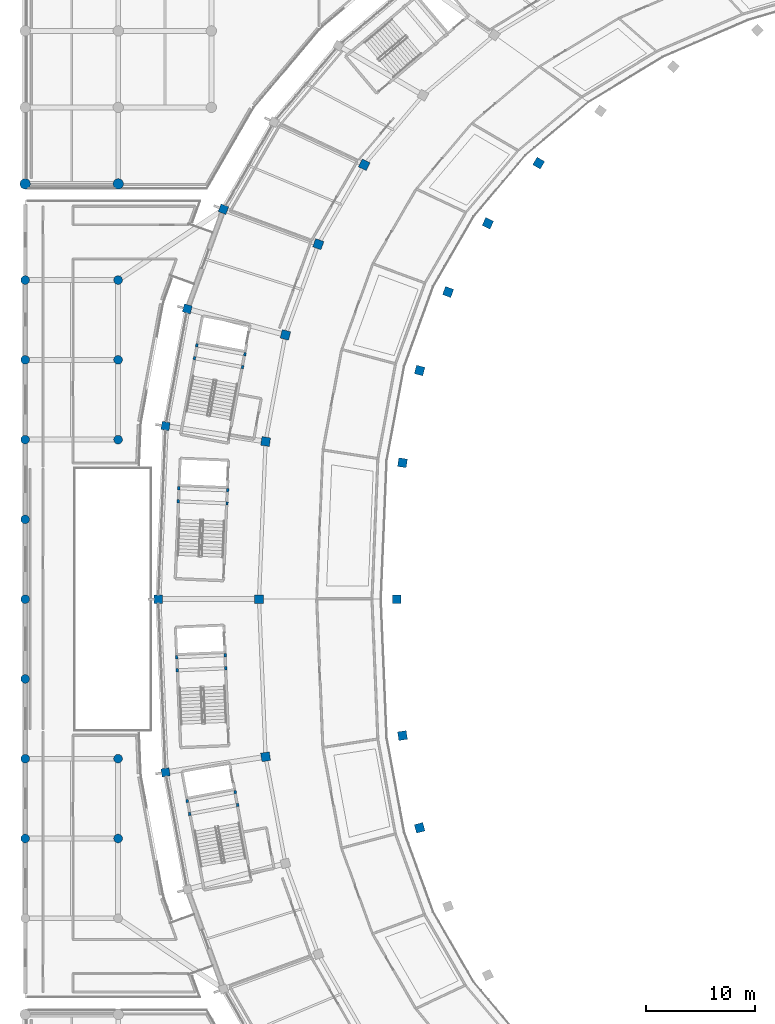
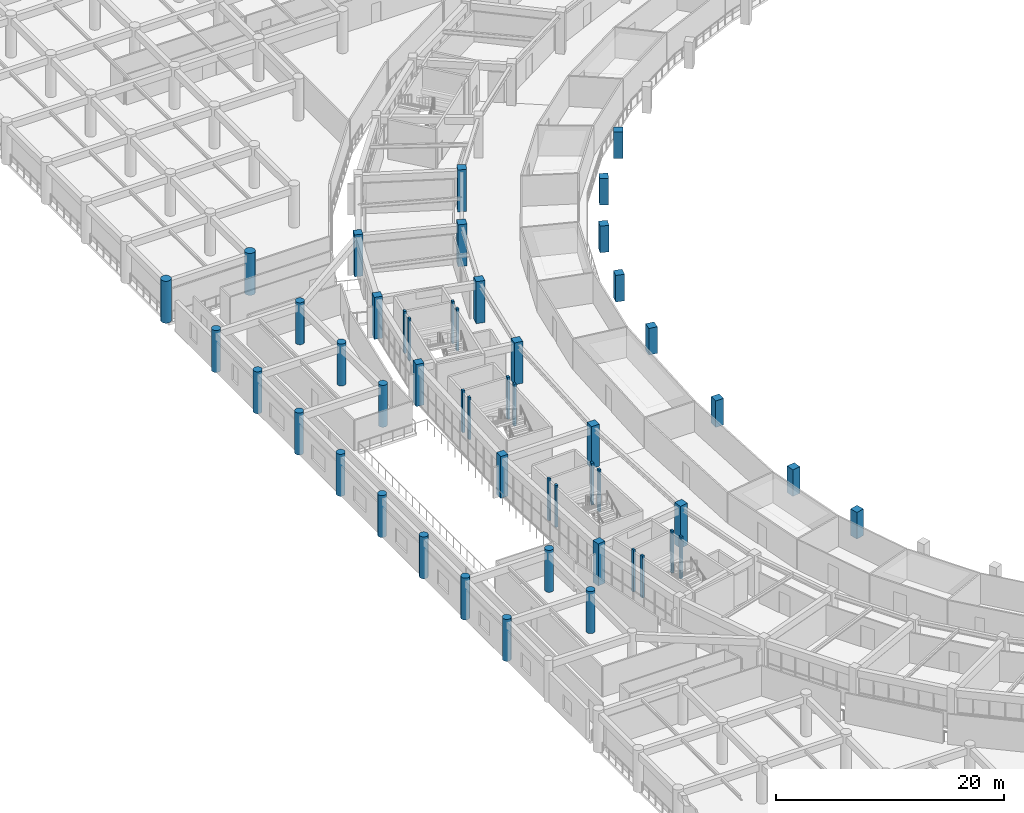
# One storey, part 3 of 141: 50 columns.
"""IFC4 building model written with IfcOpenShell, lengths in metres."""

from ifc_helpers import new_model, si_unit, direction, frame, origin, origin_2d, place, context, subcontext, project, spatial, rectangle, circle, extrude, material, material_profile, profile_set, type_object, element, save


model = new_model("IFC4")

# Units and contexts
model_context = context("Model", 3, precision=1e-05, world=origin(), true_north=direction((0.0, 1.0)))
body_context = subcontext(model_context, "Body", "Model", "MODEL_VIEW")
ifc_project = project(units=[si_unit("LENGTHUNIT", "METRE"), si_unit("AREAUNIT", "SQUARE_METRE"), si_unit("VOLUMEUNIT", "CUBIC_METRE"), si_unit("PLANEANGLEUNIT", "RADIAN"), si_unit("MASSUNIT", "GRAM", prefix="KILO")], contexts=[model_context])

# Site, building, storey
site_placement = place(None, origin())
site = spatial("IfcSite", under=ifc_project, at=site_placement, CompositionType="ELEMENT")
building_placement = place(site_placement, origin())
building = spatial("IfcBuilding", under=site, at=building_placement, Name="Mphavela Belvedere Stadium", CompositionType="ELEMENT")
storey_placement = place(building_placement, frame((0.0, 0.0, 14.699951171875)))
storey = spatial("IfcBuildingStorey", under=building, at=storey_placement, Name="L03", CompositionType="ELEMENT", Elevation=14.699951171875)

# Columns
ifc_material_1 = material(Name="Concrete C40/50", Category="concrete")
ifc_material_profile_1 = material_profile(ifc_material_1, rectangle(XDim=0.300048828125, YDim=0.219970703125, at=origin_2d()), Name="RC 300x220")
ifc_profile_set_1 = profile_set([ifc_material_profile_1], Name="Concrete C40/50")
column_type_1 = type_object("IfcColumnType", Name="COL-CORE-POST-300", PredefinedType="COLUMN", material=ifc_profile_set_1)
for number, where, z_axis, x_axis, name in (
    (1, (19.88623046875, 108.2353515625, 0.0), (0.0, 0.0, 1.0), (0.182578735093, 0.983191235463, 0.0), "Core C06 stair frame column L03-1"),
    (2, (20.105224609375, 109.415283203125, 0.0), (0.0, 0.0, 1.0), (0.182578735093, 0.983191235463, 0.0), "Core C06 stair frame column L03-2"),
    (3, (15.71044921875, 110.231201171875, 0.0), (0.0, 0.0, 1.0), (0.182578735093, 0.983191235463, 0.0), "Core C06 stair frame column L03-3"),
    (4, (15.491455078125, 109.051513671875, 0.0), (0.0, 0.0, 1.0), (0.182578735093, 0.983191235463, 0.0), "Core C06 stair frame column L03-4"),
    (5, (18.47021484375, 95.76318359375, 0.0), (0.0, 0.0, 1.0), (0.041875653729, 0.999122830099, 0.0), "Core C07 stair frame column L03-1"),
    (6, (18.5205078125, 96.96240234375, 0.0), (0.0, 0.0, 1.0), (0.041875653729, 0.999122830099, 0.0), "Core C07 stair frame column L03-2"),
    (7, (14.05419921875, 97.1494140625, 0.0), (0.0, 0.0, 1.0), (0.041875653729, 0.999122830099, 0.0), "Core C07 stair frame column L03-3"),
    (8, (14.004150390625, 95.950439453125, 0.0), (0.0, 0.0, 1.0), (0.041875653729, 0.999122830099, 0.0), "Core C07 stair frame column L03-4"),
    (9, (18.367919921875, 80.674560546875, 0.0), (0.0, 0.0, 1.0), (-0.041875653729, 0.999122830099, 0.0), "Core C08 stair frame column L03-1"),
    (10, (18.317626953125, 81.87353515625, 0.0), (0.0, 0.0, 1.0), (-0.041875653729, 0.999122830099, 0.0), "Core C08 stair frame column L03-2"),
    (11, (13.8515625, 81.686279296875, 0.0), (0.0, 0.0, 1.0), (-0.041875653729, 0.999122830099, 0.0), "Core C08 stair frame column L03-3"),
    (12, (13.90185546875, 80.4873046875, 0.0), (0.0, 0.0, 1.0), (-0.041875653729, 0.999122830099, 0.0), "Core C08 stair frame column L03-4"),
    (13, (19.440673828125, 68.16357421875, 0.0), (0.0, 0.0, 1.0), (-0.182578735093, 0.983191235463, 0.0), "Core C09 stair frame column L03-1"),
    (14, (19.2216796875, 69.343505859375, 0.0), (0.0, 0.0, 1.0), (-0.182578735093, 0.983191235463, 0.0), "Core C09 stair frame column L03-2"),
    (15, (14.82666015625, 68.52734375, 0.0), (0.0, 0.0, 1.0), (-0.182578735093, 0.983191235463, 0.0), "Core C09 stair frame column L03-3"),
    (16, (15.0458984375, 67.347412109375, 0.0), (0.0, 0.0, 1.0), (-0.182578735093, 0.983191235463, 0.0), "Core C09 stair frame column L03-4"),
):
    element("IfcColumn", number, at=place(storey_placement, frame(where, z_axis=z_axis, x_axis=x_axis)), inside=storey, type_object=column_type_1, Name=name, PredefinedType="COLUMN", context=body_context, shape_type="SweptSolid", body=[
        extrude(rectangle(XDim=0.300048828125, YDim=0.219970703125, at=origin_2d()), origin(), (0.0, 0.0, 1.0), 4.5),
    ])
ifc_material_2 = material(Name="Concrete C40/50", Category="concrete")
ifc_material_profile_2 = material_profile(ifc_material_2, circle(Radius=0.47509765625, at=origin_2d()), Name="COL D950")
ifc_profile_set_2 = profile_set([ifc_material_profile_2], Name="Concrete C40/50")
column_type_2 = type_object("IfcColumnType", Name="COL-DORIC-950", PredefinedType="COLUMN", material=ifc_profile_set_2)
for number, where, z_axis, x_axis, name in (
    (17, (0.0, 125.0, 0.0), (0.0, 0.0, 1.0), (1.0, 0.0, 0.0), "North Mast and Ceremonial End Forecourt classical column L03 1-1"),
    (18, (8.51904296875, 125.0, 0.0), (0.0, 0.0, 1.0), (1.0, 0.0, 0.0), "North Mast and Ceremonial End Forecourt classical column L03 2-1"),
):
    element("IfcColumn", number, at=place(storey_placement, frame(where, z_axis=z_axis, x_axis=x_axis)), inside=storey, type_object=column_type_2, Name=name, PredefinedType="COLUMN", context=body_context, shape_type="SweptSolid", body=[
        extrude(circle(Radius=0.47509765625, at=origin_2d()), origin(), (0.0, 0.0, 1.0), 4.5),
    ])
ifc_material_3 = material(Name="Concrete C40/50", Category="concrete")
ifc_material_profile_3 = material_profile(ifc_material_3, circle(Radius=0.39990234375, at=origin_2d()), Name="COL D800")
ifc_profile_set_3 = profile_set([ifc_material_profile_3], Name="Concrete C40/50")
column_type_3 = type_object("IfcColumnType", Name="COL-PERISTYLE-800", PredefinedType="COLUMN", material=ifc_profile_set_3)
for number, where, z_axis, x_axis, name in (
    (19, (0.0, 65.10009765625, 0.0), (0.0, 0.0, 1.0), (1.0, 0.0, 0.0), "West Planted Eaves Peristyle Colonnade classical column L03 1-3"),
    (20, (0.0, 72.39990234375, 0.0), (0.0, 0.0, 1.0), (1.0, 0.0, 0.0), "West Planted Eaves Peristyle Colonnade classical column L03 1-4"),
    (21, (0.0, 79.699951171875, 0.0), (0.0, 0.0, 1.0), (1.0, 0.0, 0.0), "West Planted Eaves Peristyle Colonnade classical column L03 1-5"),
    (22, (0.0, 87.0, 0.0), (0.0, 0.0, 1.0), (1.0, 0.0, 0.0), "West Planted Eaves Peristyle Colonnade classical column L03 1-6"),
    (23, (0.0, 94.300048828125, 0.0), (0.0, 0.0, 1.0), (1.0, 0.0, 0.0), "West Planted Eaves Peristyle Colonnade classical column L03 1-7"),
    (24, (0.0, 101.60009765625, 0.0), (0.0, 0.0, 1.0), (1.0, 0.0, 0.0), "West Planted Eaves Peristyle Colonnade classical column L03 1-8"),
    (25, (0.0, 108.89990234375, 0.0), (0.0, 0.0, 1.0), (1.0, 0.0, 0.0), "West Planted Eaves Peristyle Colonnade classical column L03 1-9"),
    (26, (0.0, 116.199951171875, 0.0), (0.0, 0.0, 1.0), (1.0, 0.0, 0.0), "West Planted Eaves Peristyle Colonnade classical column L03 1-10"),
    (27, (8.5, 65.10009765625, 0.0), (0.0, 0.0, 1.0), (1.0, 0.0, 0.0), "West Planted Eaves Peristyle Colonnade classical column L03 2-3"),
    (28, (8.5, 72.39990234375, 0.0), (0.0, 0.0, 1.0), (1.0, 0.0, 0.0), "West Planted Eaves Peristyle Colonnade classical column L03 2-4"),
    (29, (8.5, 101.60009765625, 0.0), (0.0, 0.0, 1.0), (1.0, 0.0, 0.0), "West Planted Eaves Peristyle Colonnade classical column L03 2-8"),
    (30, (8.5, 108.89990234375, 0.0), (0.0, 0.0, 1.0), (1.0, 0.0, 0.0), "West Planted Eaves Peristyle Colonnade classical column L03 2-9"),
    (31, (8.5, 116.199951171875, 0.0), (0.0, 0.0, 1.0), (1.0, 0.0, 0.0), "West Planted Eaves Peristyle Colonnade classical column L03 2-10"),
):
    element("IfcColumn", number, at=place(storey_placement, frame(where, z_axis=z_axis, x_axis=x_axis)), inside=storey, type_object=column_type_3, Name=name, PredefinedType="COLUMN", context=body_context, shape_type="SweptSolid", body=[
        extrude(circle(Radius=0.39990234375, at=origin_2d()), origin(), (0.0, 0.0, 1.0), 4.5),
    ])
ifc_material_4 = material(Name="Concrete C40/50", Category="concrete")
ifc_material_profile_4 = material_profile(ifc_material_4, rectangle(XDim=0.75, YDim=0.75, at=origin_2d()), Name="RC 750x750")
ifc_profile_set_4 = profile_set([ifc_material_profile_4], Name="Concrete C40/50")
column_type_4 = type_object("IfcColumnType", Name="COL-RC750", PredefinedType="COLUMN", material=ifc_profile_set_4)
for number, where, z_axis, x_axis, name in (
    (32, (18.143798828125, 122.682373046875, 0.0), (0.0, 0.0, 1.0), (-0.938372433776, 0.34562577382, 0.0), "Outer colonnade column L03 R4-22"),
    (33, (14.83544921875, 113.5625, 0.0), (0.0, 0.0, 1.0), (-0.966600102017, 0.256289373133, 0.0), "Outer colonnade column L03 R4-23"),
    (34, (12.844482421875, 102.844970703125, 0.0), (0.0, 0.0, 1.0), (-0.98817491911, 0.153330783737, 0.0), "Outer colonnade column L03 R4-24"),
    (35, (12.179931640625, 87.0, 0.0), (0.0, 0.0, 1.0), (-1.0, 0.0, 0.0), "Outer colonnade column L03 R4-25"),
    (36, (12.844482421875, 71.155029296875, 0.0), (0.0, 0.0, 1.0), (-0.98817491911, -0.153330783737, 0.0), "Outer colonnade column L03 R4-26"),
):
    element("IfcColumn", number, at=place(storey_placement, frame(where, z_axis=z_axis, x_axis=x_axis)), inside=storey, type_object=column_type_4, Name=name, PredefinedType="COLUMN", context=body_context, shape_type="SweptSolid", body=[
        extrude(rectangle(XDim=0.75, YDim=0.75, at=origin_2d()), origin(), (0.0, 0.0, 1.0), 4.5),
    ])
ifc_material_5 = material(Name="Concrete C40/50", Category="concrete")
ifc_material_profile_5 = material_profile(ifc_material_5, rectangle(XDim=0.800048828125, YDim=0.800048828125, at=origin_2d()), Name="RC 800x800")
ifc_profile_set_5 = profile_set([ifc_material_profile_5], Name="Concrete C40/50")
column_type_5 = type_object("IfcColumnType", Name="COL-RC800", PredefinedType="COLUMN", material=ifc_profile_set_5)
for number, where, z_axis, x_axis, name in (
    (37, (46.98828125, 126.901611328125, 0.0), (0.0, 0.0, 1.0), (-0.862513669207, 0.506033764121, 0.0), "Upper raker support column L03 R2-20"),
    (38, (42.33740234375, 121.393798828125, 0.0), (0.0, 0.0, 1.0), (-0.903858661687, 0.4278311813, 0.0), "Upper raker support column L03 R2-21"),
):
    element("IfcColumn", number, at=place(storey_placement, frame(where, z_axis=z_axis, x_axis=x_axis)), inside=storey, type_object=column_type_5, Name=name, PredefinedType="COLUMN", context=body_context, shape_type="SweptSolid", body=[
        extrude(rectangle(XDim=0.800048828125, YDim=0.800048828125, at=origin_2d()), origin(), (0.0, 0.0, 1.0), 2.85009765625),
    ])
column_1_placement = place(storey_placement, frame((31.0244140625, 126.748291015625, 0.0), z_axis=(0.0, 0.0, 1.0), x_axis=(-0.903858661687, 0.4278311813, 0.0)))
element("IfcColumn", 39, at=column_1_placement, inside=storey, type_object=column_type_5, Name="Main bowl column L03 R3-21", PredefinedType="COLUMN", context=body_context, shape_type="SweptSolid", body=[
    extrude(rectangle(XDim=0.800048828125, YDim=0.800048828125, at=origin_2d()), origin(), (0.0, 0.0, 1.0), 4.5),
])
column_2_placement = place(storey_placement, frame((38.702880859375, 115.108154296875, 0.0), z_axis=(0.0, 0.0, 1.0), x_axis=(-0.938372433776, 0.34562577382, 0.0)))
element("IfcColumn", 40, at=column_2_placement, inside=storey, type_object=column_type_5, Name="Upper raker support column L03 R2-22", PredefinedType="COLUMN", context=body_context, shape_type="SweptSolid", body=[
    extrude(rectangle(XDim=0.800048828125, YDim=0.800048828125, at=origin_2d()), origin(), (0.0, 0.0, 1.0), 2.85009765625),
])
column_3_placement = place(storey_placement, frame((26.824462890625, 119.484375, 0.0), z_axis=(0.0, 0.0, 1.0), x_axis=(-0.938372433776, 0.34562577382, 0.0)))
element("IfcColumn", 41, at=column_3_placement, inside=storey, type_object=column_type_5, Name="Main bowl column L03 R3-22", PredefinedType="COLUMN", context=body_context, shape_type="SweptSolid", body=[
    extrude(rectangle(XDim=0.800048828125, YDim=0.800048828125, at=origin_2d()), origin(), (0.0, 0.0, 1.0), 4.5),
])
column_4_placement = place(storey_placement, frame((36.0966796875, 107.92431640625, 0.0), z_axis=(0.0, 0.0, 1.0), x_axis=(-0.966600102017, 0.256289373133, 0.0)))
element("IfcColumn", 42, at=column_4_placement, inside=storey, type_object=column_type_5, Name="Upper raker support column L03 R2-23", PredefinedType="COLUMN", context=body_context, shape_type="SweptSolid", body=[
    extrude(rectangle(XDim=0.800048828125, YDim=0.800048828125, at=origin_2d()), origin(), (0.0, 0.0, 1.0), 2.85009765625),
])
column_5_placement = place(storey_placement, frame((23.8125, 111.181884765625, 0.0), z_axis=(0.0, 0.0, 1.0), x_axis=(-0.966600102017, 0.256289373133, 0.0)))
element("IfcColumn", 43, at=column_5_placement, inside=storey, type_object=column_type_5, Name="Main bowl column L03 R3-23", PredefinedType="COLUMN", context=body_context, shape_type="SweptSolid", body=[
    extrude(rectangle(XDim=0.800048828125, YDim=0.800048828125, at=origin_2d()), origin(), (0.0, 0.0, 1.0), 4.5),
])
column_6_placement = place(storey_placement, frame((34.528564453125, 99.481689453125, 0.0), z_axis=(0.0, 0.0, 1.0), x_axis=(-0.98817491911, 0.153330783737, 0.0)))
element("IfcColumn", 44, at=column_6_placement, inside=storey, type_object=column_type_5, Name="Upper raker support column L03 R2-24", PredefinedType="COLUMN", context=body_context, shape_type="SweptSolid", body=[
    extrude(rectangle(XDim=0.800048828125, YDim=0.800048828125, at=origin_2d()), origin(), (0.0, 0.0, 1.0), 2.85009765625),
])
column_7_placement = place(storey_placement, frame((22.0, 101.4248046875, 0.0), z_axis=(0.0, 0.0, 1.0), x_axis=(-0.98817491911, 0.153330783737, 0.0)))
element("IfcColumn", 45, at=column_7_placement, inside=storey, type_object=column_type_5, Name="Main bowl column L03 R3-24", PredefinedType="COLUMN", context=body_context, shape_type="SweptSolid", body=[
    extrude(rectangle(XDim=0.800048828125, YDim=0.800048828125, at=origin_2d()), origin(), (0.0, 0.0, 1.0), 4.5),
])
column_8_placement = place(storey_placement, frame((34.0048828125, 87.0, 0.0), z_axis=(0.0, 0.0, 1.0), x_axis=(-1.0, 0.0, 0.0)))
element("IfcColumn", 46, at=column_8_placement, inside=storey, type_object=column_type_5, Name="Upper raker support column L03 R2-25", PredefinedType="COLUMN", context=body_context, shape_type="SweptSolid", body=[
    extrude(rectangle(XDim=0.800048828125, YDim=0.800048828125, at=origin_2d()), origin(), (0.0, 0.0, 1.0), 2.85009765625),
])
column_9_placement = place(storey_placement, frame((21.39501953125, 87.0, 0.0), z_axis=(0.0, 0.0, 1.0), x_axis=(-1.0, 0.0, 0.0)))
element("IfcColumn", 47, at=column_9_placement, inside=storey, type_object=column_type_5, Name="Main bowl column L03 R3-25", PredefinedType="COLUMN", context=body_context, shape_type="SweptSolid", body=[
    extrude(rectangle(XDim=0.800048828125, YDim=0.800048828125, at=origin_2d()), origin(), (0.0, 0.0, 1.0), 4.5),
])
column_10_placement = place(storey_placement, frame((34.528564453125, 74.518310546875, 0.0), z_axis=(0.0, 0.0, 1.0), x_axis=(-0.98817491911, -0.153330783737, 0.0)))
element("IfcColumn", 48, at=column_10_placement, inside=storey, type_object=column_type_5, Name="Upper raker support column L03 R2-26", PredefinedType="COLUMN", context=body_context, shape_type="SweptSolid", body=[
    extrude(rectangle(XDim=0.800048828125, YDim=0.800048828125, at=origin_2d()), origin(), (0.0, 0.0, 1.0), 2.85009765625),
])
column_11_placement = place(storey_placement, frame((22.0, 72.5751953125, 0.0), z_axis=(0.0, 0.0, 1.0), x_axis=(-0.98817491911, -0.153330783737, 0.0)))
element("IfcColumn", 49, at=column_11_placement, inside=storey, type_object=column_type_5, Name="Main bowl column L03 R3-26", PredefinedType="COLUMN", context=body_context, shape_type="SweptSolid", body=[
    extrude(rectangle(XDim=0.800048828125, YDim=0.800048828125, at=origin_2d()), origin(), (0.0, 0.0, 1.0), 4.5),
])
column_12_placement = place(storey_placement, frame((36.0966796875, 66.07568359375, 0.0), z_axis=(0.0, 0.0, 1.0), x_axis=(-0.966600102017, -0.256289373133, 0.0)))
element("IfcColumn", 50, at=column_12_placement, inside=storey, type_object=column_type_5, Name="Upper raker support column L03 R2-27", PredefinedType="COLUMN", context=body_context, shape_type="SweptSolid", body=[
    extrude(rectangle(XDim=0.800048828125, YDim=0.800048828125, at=origin_2d()), origin(), (0.0, 0.0, 1.0), 2.85009765625),
])

save(model, "model.ifc")
